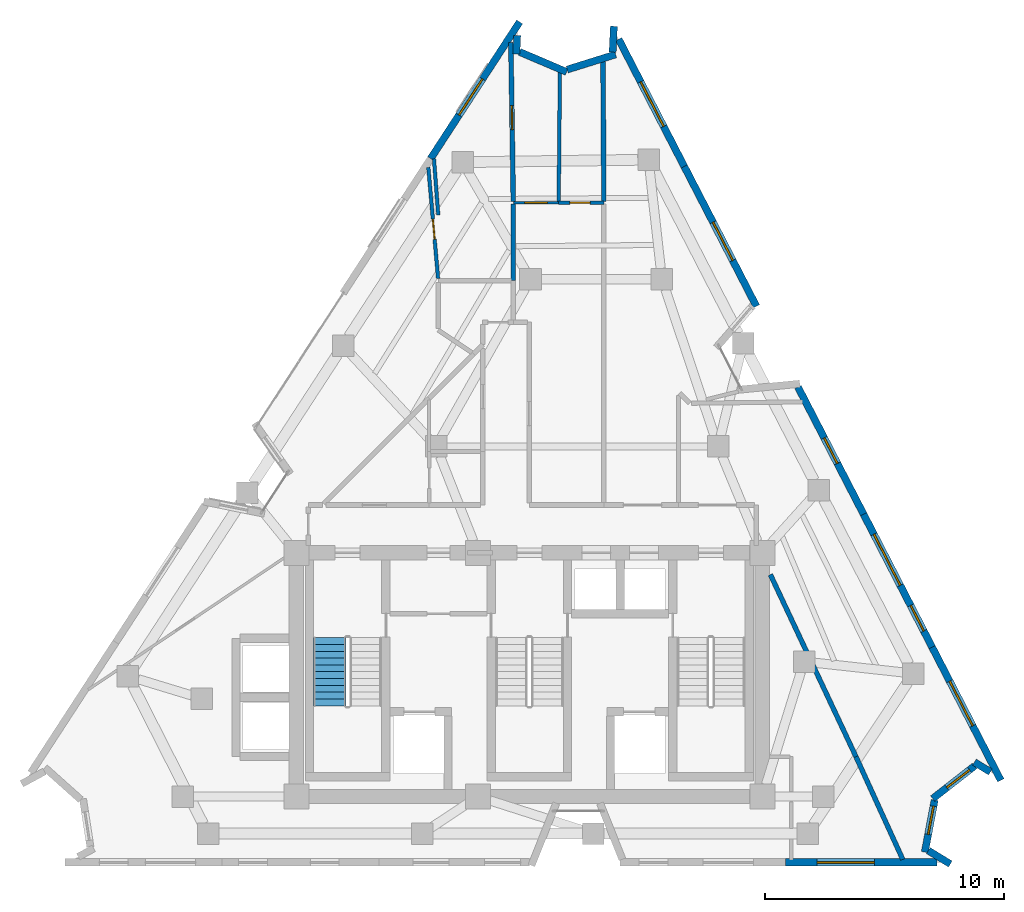
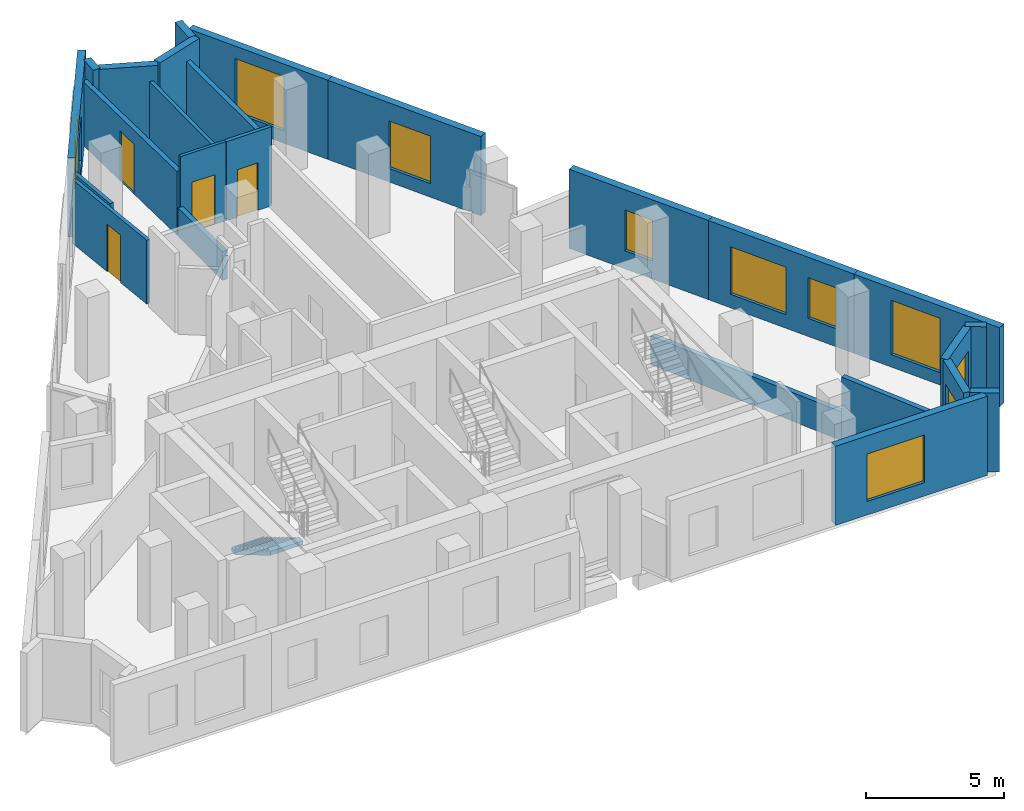
# One storey, part 7 of 9: 25 walls, 10 windows, 4 doors, 1 stair flight, 14 openings, 1 element without a shape of its own.
"""IFC4 building model written with IfcOpenShell, lengths in metres."""

from ifc_helpers import new_model, si_unit, direction, frame, frame_2d, origin, place, context, subcontext, project, spatial, polyline, rectangle, outline, extrude, material, layer, layer_set, type_object, element, fill, aggregate, save


model = new_model("IFC4")

# Units and contexts
model_context = context("Model", 3, precision=1e-05, world=origin(), true_north=direction((0.0, 1.0)))
body_context = subcontext(model_context, "Body", "Model", "MODEL_VIEW")
ifc_project = project(units=[si_unit("LENGTHUNIT", "METRE"), si_unit("AREAUNIT", "SQUARE_METRE"), si_unit("VOLUMEUNIT", "CUBIC_METRE"), si_unit("PLANEANGLEUNIT", "RADIAN"), si_unit("MASSUNIT", "GRAM", prefix="KILO")], contexts=[model_context])

# Site, building, storey
site_placement = place(None, origin())
site = spatial("IfcSite", under=ifc_project, at=site_placement, CompositionType="ELEMENT")
building_placement = place(site_placement, origin())
building = spatial("IfcBuilding", under=site, at=building_placement, Name="Almagre Mirador Tower", CompositionType="ELEMENT")
storey_placement = place(building_placement, frame((0.0, 0.0, 225.75)))
storey = spatial("IfcBuildingStorey", under=building, at=storey_placement, Name="L58", CompositionType="ELEMENT", Elevation=225.75)

# Wall, opening, window
ifc_material_1 = material(Name="Precast concrete C50/60", Category="concrete")
ifc_layer_1 = layer(ifc_material_1, 0.300048828125)
ifc_layer_set_1 = layer_set([ifc_layer_1], Name="Precast concrete C50/60")
wall_type_1 = type_object("IfcWallType", Name="WAL-EXT-300", PredefinedType="SOLIDWALL", material=ifc_layer_set_1)
wall_1_placement = place(storey_placement, frame((33.170654296875, 31.24560546875, 0.0), z_axis=(0.0, 0.0, 1.0), x_axis=(0.545586708321, 0.83805437992, 0.0)))
wall_1 = element("IfcWall", 1, at=wall_1_placement, inside=storey, type_object=wall_type_1, Name="L58 expressed almagre precast frame wall 04", PredefinedType="SOLIDWALL", context=body_context, shape_type="SweptSolid", body=[
    extrude(rectangle(XDim=6.824951171875, YDim=0.300048828125, at=frame_2d((3.41259765625, 0.0))), origin(), (0.0, 0.0, 1.0), 3.5),
])
opening_1_placement = place(wall_1_placement, frame((2.177978515625, 0.0, 0.60009765625)))
opening_1 = element("IfcOpeningElement", 2, at=opening_1_placement, cuts=wall_1, Name="Opening WN-01", PredefinedType="OPENING", context=body_context, shape_type="SweptSolid", body=[
    extrude(rectangle(XDim=1.800048828125, YDim=2.10009765625, at=frame_2d((0.89990234375, 1.050048828125))), frame((0.0, 0.159902, 0.0), z_axis=(0.0, -1.0, 0.0), x_axis=(1.0, 0.0, 0.0)), (0.0, 0.0, 1.0), 0.320049),
])
ifc_material_2 = material(Name="Dark solar-control laminated hurricane glass", Category="glass")
window_type_1 = type_object("IfcWindowType", Name="WIN-1800X2100", PartitioningType="DOUBLE_PANEL_VERTICAL", PredefinedType="WINDOW", material=ifc_material_2)
window_1_placement = place(opening_1_placement, origin())
window_1 = element("IfcWindow", 3, at=window_1_placement, inside=storey, type_object=window_type_1, Name="L58 recessed hurricane window L58-UL-KT", OverallHeight=2.10009765625, OverallWidth=1.800048828125, PartitioningType="SINGLE_PANEL", PredefinedType="WINDOW", context=body_context, shape_type="SweptSolid", body=[
    extrude(rectangle(XDim=1.800048828125, YDim=2.10009765625, at=frame_2d((0.89990234375, 1.050048828125))), frame((0.0, 0.030029296875, 0.0), z_axis=(0.0, -1.0, 0.0), x_axis=(1.0, 0.0, 0.0)), (0.0, 0.0, 1.0), 0.06005859375),
])
fill(opening_1, window_1)

# Walls
wall_2_placement = place(storey_placement, frame((36.795166015625, 36.398681640625, 0.0), z_axis=(0.0, 0.0, 1.0), x_axis=(-0.051012177361, -0.998698031319, 0.0)))
element("IfcWall", 4, at=wall_2_placement, inside=storey, type_object=wall_type_1, Name="L58 expressed almagre precast frame wall 05", PredefinedType="SOLIDWALL", context=body_context, shape_type="SweptSolid", body=[
    extrude(rectangle(XDim=0.7705078125, YDim=0.300048828125, at=frame_2d((0.38525390625, 0.0))), origin(), (0.0, 0.0, 1.0), 3.5),
])
wall_3_placement = place(storey_placement, frame((36.88720703125, 35.7158203125, 0.0), z_axis=(0.0, 0.0, 1.0), x_axis=(0.919567916171, -0.392931097711, 0.0)))
element("IfcWall", 5, at=wall_3_placement, inside=storey, type_object=wall_type_1, Name="L58 expressed almagre precast frame wall 06", PredefinedType="SOLIDWALL", context=body_context, shape_type="SweptSolid", body=[
    extrude(rectangle(XDim=2.147216796875, YDim=0.300048828125, at=frame_2d((1.07373046875, 0.0))), origin(), (0.0, 0.0, 1.0), 3.5),
])
wall_4_placement = place(storey_placement, frame((38.8857421875, 34.974609375, 0.0), z_axis=(0.0, 0.0, 1.0), x_axis=(0.954524975295, 0.298130963736, 0.0)))
element("IfcWall", 6, at=wall_4_placement, inside=storey, type_object=wall_type_1, Name="L58 expressed almagre precast frame wall 07", PredefinedType="SOLIDWALL", context=body_context, shape_type="SweptSolid", body=[
    extrude(rectangle(XDim=2.12353515625, YDim=0.300048828125, at=frame_2d((1.061767578125, 0.0))), origin(), (0.0, 0.0, 1.0), 3.5),
])
wall_5_placement = place(storey_placement, frame((40.78564453125, 35.700927734375, 0.0), z_axis=(0.0, 0.0, 1.0), x_axis=(0.05016199642, 0.998741094636, 0.0)))
element("IfcWall", 7, at=wall_5_placement, inside=storey, type_object=wall_type_1, Name="L58 expressed almagre precast frame wall 08", PredefinedType="SOLIDWALL", context=body_context, shape_type="SweptSolid", body=[
    extrude(rectangle(XDim=1.08544921875, YDim=0.300048828125, at=frame_2d((0.542724609375, 0.0))), origin(), (0.0, 0.0, 1.0), 3.5),
])

# Wall, opening, window
wall_6_placement = place(storey_placement, frame((41.039306640625, 36.2451171875, 0.0), z_axis=(0.0, 0.0, 1.0), x_axis=(0.458292150172, -0.888801611773, 0.0)))
wall_6 = element("IfcWall", 8, at=wall_6_placement, inside=storey, type_object=wall_type_1, Name="L58 expressed almagre precast frame wall 09", PredefinedType="SOLIDWALL", context=body_context, shape_type="SweptSolid", body=[
    extrude(rectangle(XDim=5.9931640625, YDim=0.300048828125, at=frame_2d((2.99658203125, 0.0))), origin(), (0.0, 0.0, 1.0), 3.5),
])
opening_2_placement = place(wall_6_placement, frame((2.010009765625, 0.0, 0.550048828125)))
opening_2 = element("IfcOpeningElement", 9, at=opening_2_placement, cuts=wall_6, Name="Opening WN-05", PredefinedType="OPENING", context=body_context, shape_type="SweptSolid", body=[
    extrude(rectangle(XDim=2.10009765625, YDim=2.39990234375, at=frame_2d((1.050048828125, 1.199951171875))), frame((0.0, 0.159902, 0.0), z_axis=(0.0, -1.0, 0.0), x_axis=(1.0, 0.0, 0.0)), (0.0, 0.0, 1.0), 0.320049),
])
ifc_material_3 = material(Name="Dark solar-control laminated hurricane glass", Category="glass")
window_type_2 = type_object("IfcWindowType", Name="WIN-2100X2400", PartitioningType="DOUBLE_PANEL_VERTICAL", PredefinedType="WINDOW", material=ifc_material_3)
window_2_placement = place(opening_2_placement, origin())
window_2 = element("IfcWindow", 10, at=window_2_placement, inside=storey, type_object=window_type_2, Name="L58 recessed hurricane window L58-RST-J", OverallHeight=2.39990234375, OverallWidth=2.10009765625, PartitioningType="SINGLE_PANEL", PredefinedType="WINDOW", context=body_context, shape_type="SweptSolid", body=[
    extrude(rectangle(XDim=2.10009765625, YDim=2.39990234375, at=frame_2d((1.050048828125, 1.199951171875))), frame((0.0, 0.030029296875, 0.0), z_axis=(0.0, -1.0, 0.0), x_axis=(1.0, 0.0, 0.0)), (0.0, 0.0, 1.0), 0.06005859375),
])
fill(opening_2, window_2)

wall_7_placement = place(storey_placement, frame((43.785888671875, 30.91845703125, 0.0), z_axis=(0.0, 0.0, 1.0), x_axis=(0.458349099599, -0.888772244671, 0.0)))
wall_7 = element("IfcWall", 11, at=wall_7_placement, inside=storey, type_object=wall_type_1, Name="L58 expressed almagre precast frame wall 10", PredefinedType="SOLIDWALL", context=body_context, shape_type="SweptSolid", body=[
    extrude(rectangle(XDim=6.5830078125, YDim=0.300048828125, at=frame_2d((3.29150390625, 0.0))), origin(), (0.0, 0.0, 1.0), 3.5),
])
opening_3_placement = place(wall_7_placement, frame((2.625, 0.0, 0.60009765625)))
opening_3 = element("IfcOpeningElement", 12, at=opening_3_placement, cuts=wall_7, Name="Opening WN-01", PredefinedType="OPENING", context=body_context, shape_type="SweptSolid", body=[
    extrude(rectangle(XDim=1.800048828125, YDim=2.10009765625, at=frame_2d((0.89990234375, 1.050048828125))), frame((0.0, 0.159902, 0.0), z_axis=(0.0, -1.0, 0.0), x_axis=(1.0, 0.0, 0.0)), (0.0, 0.0, 1.0), 0.320049),
])
window_3_placement = place(opening_3_placement, origin())
window_3 = element("IfcWindow", 13, at=window_3_placement, inside=storey, type_object=window_type_1, Name="L58 recessed hurricane window L58-UK-ST", OverallHeight=2.10009765625, OverallWidth=1.800048828125, PartitioningType="SINGLE_PANEL", PredefinedType="WINDOW", context=body_context, shape_type="SweptSolid", body=[
    extrude(rectangle(XDim=1.800048828125, YDim=2.10009765625, at=frame_2d((0.89990234375, 1.050048828125))), frame((0.0, 0.030029296875, 0.0), z_axis=(0.0, -1.0, 0.0), x_axis=(1.0, 0.0, 0.0)), (0.0, 0.0, 1.0), 0.06005859375),
])
fill(opening_3, window_3)

wall_8_placement = place(storey_placement, frame((48.544189453125, 21.689453125, 0.0), z_axis=(0.0, 0.0, 1.0), x_axis=(0.458305242752, -0.888794860733, 0.0)))
wall_8 = element("IfcWall", 14, at=wall_8_placement, inside=storey, type_object=wall_type_1, Name="L58 expressed almagre precast frame wall 13", PredefinedType="SOLIDWALL", context=body_context, shape_type="SweptSolid", body=[
    extrude(rectangle(XDim=5.986083984375, YDim=0.300048828125, at=frame_2d((2.9931640625, 0.0))), origin(), (0.0, 0.0, 1.0), 3.5),
])
opening_4_placement = place(wall_8_placement, frame((2.39501953125, 0.0, 0.800048828125)))
opening_4 = element("IfcOpeningElement", 15, at=opening_4_placement, cuts=wall_8, Name="Opening WN-04", PredefinedType="OPENING", context=body_context, shape_type="SweptSolid", body=[
    extrude(rectangle(XDim=1.199951171875, YDim=1.800048828125, at=frame_2d((0.60009765625, 0.89990234375))), frame((0.0, 0.159902, 0.0), z_axis=(0.0, -1.0, 0.0), x_axis=(1.0, 0.0, 0.0)), (0.0, 0.0, 1.0), 0.320049),
])
ifc_material_4 = material(Name="Dark solar-control laminated hurricane glass", Category="glass")
window_type_3 = type_object("IfcWindowType", Name="WIN-1200X1800", PartitioningType="SINGLE_PANEL", PredefinedType="WINDOW", material=ifc_material_4)
window_4_placement = place(opening_4_placement, origin())
window_4 = element("IfcWindow", 16, at=window_4_placement, inside=storey, type_object=window_type_3, Name="L58 recessed hurricane window L58-UK-KT", OverallHeight=1.800048828125, OverallWidth=1.199951171875, PartitioningType="SINGLE_PANEL", PredefinedType="WINDOW", context=body_context, shape_type="SweptSolid", body=[
    extrude(rectangle(XDim=1.199951171875, YDim=1.800048828125, at=frame_2d((0.60009765625, 0.89990234375))), frame((0.0, 0.030029296875, 0.0), z_axis=(0.0, -1.0, 0.0), x_axis=(1.0, 0.0, 0.0)), (0.0, 0.0, 1.0), 0.06005859375),
])
fill(opening_4, window_4)

# Wall, openings, windows
wall_9_placement = place(storey_placement, frame((51.28759765625, 16.369140625, 0.0), z_axis=(0.0, 0.0, 1.0), x_axis=(0.458306446078, -0.88879424024, 0.0)))
wall_9 = element("IfcWall", 17, at=wall_9_placement, inside=storey, type_object=wall_type_1, Name="L58 expressed almagre precast frame wall 14", PredefinedType="SOLIDWALL", context=body_context, shape_type="SweptSolid", body=[
    extrude(rectangle(XDim=6.26611328125, YDim=0.300048828125, at=frame_2d((3.133056640625, 0.0))), origin(), (0.0, 0.0, 1.0), 3.5),
])
opening_5_placement = place(wall_9_placement, frame((4.300048828125, 0.0, 0.800048828125)))
opening_5 = element("IfcOpeningElement", 18, at=opening_5_placement, cuts=wall_9, Name="Opening WN-04", PredefinedType="OPENING", context=body_context, shape_type="SweptSolid", body=[
    extrude(rectangle(XDim=1.199951171875, YDim=1.800048828125, at=frame_2d((0.60009765625, 0.89990234375))), frame((0.0, 0.159902, 0.0), z_axis=(0.0, -1.0, 0.0), x_axis=(1.0, 0.0, 0.0)), (0.0, 0.0, 1.0), 0.320049),
])
opening_6_placement = place(wall_9_placement, frame((0.949951171875, 0.0, 0.60009765625)))
opening_6 = element("IfcOpeningElement", 19, at=opening_6_placement, cuts=wall_9, Name="Opening WN-02", PredefinedType="OPENING", context=body_context, shape_type="SweptSolid", body=[
    extrude(rectangle(XDim=2.39990234375, YDim=2.10009765625, at=frame_2d((1.199951171875, 1.050048828125))), frame((0.0, 0.159902, 0.0), z_axis=(0.0, -1.0, 0.0), x_axis=(1.0, 0.0, 0.0)), (0.0, 0.0, 1.0), 0.320049),
])
window_5_placement = place(opening_5_placement, origin())
window_5 = element("IfcWindow", 20, at=window_5_placement, inside=storey, type_object=window_type_3, Name="L58 recessed hurricane window L58-RST-E", OverallHeight=1.800048828125, OverallWidth=1.199951171875, PartitioningType="SINGLE_PANEL", PredefinedType="WINDOW", context=body_context, shape_type="SweptSolid", body=[
    extrude(rectangle(XDim=1.199951171875, YDim=1.800048828125, at=frame_2d((0.60009765625, 0.89990234375))), frame((0.0, 0.030029296875, 0.0), z_axis=(0.0, -1.0, 0.0), x_axis=(1.0, 0.0, 0.0)), (0.0, 0.0, 1.0), 0.06005859375),
])
fill(opening_5, window_5)
ifc_material_5 = material(Name="Dark solar-control laminated hurricane glass", Category="glass")
window_type_4 = type_object("IfcWindowType", Name="WIN-2400X2100", PartitioningType="TRIPLE_PANEL_VERTICAL", PredefinedType="WINDOW", material=ifc_material_5)
window_6_placement = place(opening_6_placement, origin())
window_6 = element("IfcWindow", 21, at=window_6_placement, inside=storey, type_object=window_type_4, Name="L58 recessed hurricane window L58-UK-KT", OverallHeight=2.10009765625, OverallWidth=2.39990234375, PartitioningType="SINGLE_PANEL", PredefinedType="WINDOW", context=body_context, shape_type="SweptSolid", body=[
    extrude(rectangle(XDim=2.39990234375, YDim=2.10009765625, at=frame_2d((1.199951171875, 1.050048828125))), frame((0.0, 0.030029296875, 0.0), z_axis=(0.0, -1.0, 0.0), x_axis=(1.0, 0.0, 0.0)), (0.0, 0.0, 1.0), 0.06005859375),
])
fill(opening_6, window_6)

# Wall, opening, window
wall_10_placement = place(storey_placement, frame((54.159423828125, 10.7998046875, 0.0), z_axis=(0.0, 0.0, 1.0), x_axis=(0.458322317218, -0.888786056113, 0.0)))
wall_10 = element("IfcWall", 22, at=wall_10_placement, inside=storey, type_object=wall_type_1, Name="L58 expressed almagre precast frame wall 15", PredefinedType="SOLIDWALL", context=body_context, shape_type="SweptSolid", body=[
    extrude(rectangle(XDim=6.265869140625, YDim=0.300048828125, at=frame_2d((3.1328125, 0.0))), origin(), (0.0, 0.0, 1.0), 3.5),
])
opening_7_placement = place(wall_10_placement, frame((1.60009765625, 0.0, 0.550048828125)))
opening_7 = element("IfcOpeningElement", 23, at=opening_7_placement, cuts=wall_10, Name="Opening WN-05", PredefinedType="OPENING", context=body_context, shape_type="SweptSolid", body=[
    extrude(rectangle(XDim=2.10009765625, YDim=2.39990234375, at=frame_2d((1.050048828125, 1.199951171875))), frame((0.0, 0.159902, 0.0), z_axis=(0.0, -1.0, 0.0), x_axis=(1.0, 0.0, 0.0)), (0.0, 0.0, 1.0), 0.320049),
])
window_7_placement = place(opening_7_placement, origin())
window_7 = element("IfcWindow", 24, at=window_7_placement, inside=storey, type_object=window_type_2, Name="L58 recessed hurricane window L58-RST-E", OverallHeight=2.39990234375, OverallWidth=2.10009765625, PartitioningType="SINGLE_PANEL", PredefinedType="WINDOW", context=body_context, shape_type="SweptSolid", body=[
    extrude(rectangle(XDim=2.10009765625, YDim=2.39990234375, at=frame_2d((1.050048828125, 1.199951171875))), frame((0.0, 0.030029296875, 0.0), z_axis=(0.0, -1.0, 0.0), x_axis=(1.0, 0.0, 0.0)), (0.0, 0.0, 1.0), 0.06005859375),
])
fill(opening_7, window_7)

# Wall
wall_11_placement = place(storey_placement, frame((56.595458984375, 5.581298828125, 0.0), z_axis=(0.0, 0.0, 1.0), x_axis=(-0.853681479387, 0.520795479772, 0.0)))
element("IfcWall", 25, at=wall_11_placement, inside=storey, type_object=wall_type_1, Name="L58 expressed almagre precast frame wall 16", PredefinedType="SOLIDWALL", context=body_context, shape_type="SweptSolid", body=[
    extrude(rectangle(XDim=0.78466796875, YDim=0.300048828125, at=frame_2d((0.392333984375, 0.0))), origin(), (0.0, 0.0, 1.0), 3.5),
])

# Wall, opening, window
wall_12_placement = place(storey_placement, frame((55.938720703125, 5.833984375, 0.0), z_axis=(0.0, 0.0, 1.0), x_axis=(-0.788331324268, -0.615250943256, 0.0)))
wall_12 = element("IfcWall", 26, at=wall_12_placement, inside=storey, type_object=wall_type_1, Name="L58 expressed almagre precast frame wall 17", PredefinedType="SOLIDWALL", context=body_context, shape_type="SweptSolid", body=[
    extrude(rectangle(XDim=2.22998046875, YDim=0.300048828125, at=frame_2d((1.114990234375, 0.0))), origin(), (0.0, 0.0, 1.0), 3.5),
])
opening_8_placement = place(wall_12_placement, frame((0.27490234375, 0.0, 0.800048828125)))
opening_8 = element("IfcOpeningElement", 27, at=opening_8_placement, cuts=wall_12, Name="Opening WN-04", PredefinedType="OPENING", context=body_context, shape_type="SweptSolid", body=[
    extrude(rectangle(XDim=1.199951171875, YDim=1.800048828125, at=frame_2d((0.60009765625, 0.89990234375))), frame((0.0, 0.159902, 0.0), z_axis=(0.0, -1.0, 0.0), x_axis=(1.0, 0.0, 0.0)), (0.0, 0.0, 1.0), 0.320049),
])
window_8_placement = place(opening_8_placement, origin())
window_8 = element("IfcWindow", 28, at=window_8_placement, inside=storey, type_object=window_type_3, Name="L58 recessed hurricane window L58-RST-E", OverallHeight=1.800048828125, OverallWidth=1.199951171875, PartitioningType="SINGLE_PANEL", PredefinedType="WINDOW", context=body_context, shape_type="SweptSolid", body=[
    extrude(rectangle(XDim=1.199951171875, YDim=1.800048828125, at=frame_2d((0.60009765625, 0.89990234375))), frame((0.0, 0.030029296875, 0.0), z_axis=(0.0, -1.0, 0.0), x_axis=(1.0, 0.0, 0.0)), (0.0, 0.0, 1.0), 0.06005859375),
])
fill(opening_8, window_8)

wall_13_placement = place(storey_placement, frame((54.26318359375, 4.400634765625, 0.0), z_axis=(0.0, 0.0, 1.0), x_axis=(-0.185632792315, -0.982619186876, 0.0)))
wall_13 = element("IfcWall", 29, at=wall_13_placement, inside=storey, type_object=wall_type_1, Name="L58 expressed almagre precast frame wall 18", PredefinedType="SOLIDWALL", context=body_context, shape_type="SweptSolid", body=[
    extrude(rectangle(XDim=2.21484375, YDim=0.300048828125, at=frame_2d((1.107421875, 0.0))), origin(), (0.0, 0.0, 1.0), 3.5),
])
opening_9_placement = place(wall_13_placement, frame((0.260009765625, 0.0, 0.800048828125)))
opening_9 = element("IfcOpeningElement", 30, at=opening_9_placement, cuts=wall_13, Name="Opening WN-04", PredefinedType="OPENING", context=body_context, shape_type="SweptSolid", body=[
    extrude(rectangle(XDim=1.199951171875, YDim=1.800048828125, at=frame_2d((0.60009765625, 0.89990234375))), frame((0.0, 0.159902, 0.0), z_axis=(0.0, -1.0, 0.0), x_axis=(1.0, 0.0, 0.0)), (0.0, 0.0, 1.0), 0.320049),
])
window_9_placement = place(opening_9_placement, origin())
window_9 = element("IfcWindow", 31, at=window_9_placement, inside=storey, type_object=window_type_3, Name="L58 recessed hurricane window L58-RST-E", OverallHeight=1.800048828125, OverallWidth=1.199951171875, PartitioningType="SINGLE_PANEL", PredefinedType="WINDOW", context=body_context, shape_type="SweptSolid", body=[
    extrude(rectangle(XDim=1.199951171875, YDim=1.800048828125, at=frame_2d((0.60009765625, 0.89990234375))), frame((0.0, 0.030029296875, 0.0), z_axis=(0.0, -1.0, 0.0), x_axis=(1.0, 0.0, 0.0)), (0.0, 0.0, 1.0), 0.06005859375),
])
fill(opening_9, window_9)

# Wall
wall_14_placement = place(storey_placement, frame((53.99755859375, 2.2890625, 0.0), z_axis=(0.0, 0.0, 1.0), x_axis=(0.853840299064, -0.520535055203, 0.0)))
element("IfcWall", 32, at=wall_14_placement, inside=storey, type_object=wall_type_1, Name="L58 expressed almagre precast frame wall 19", PredefinedType="SOLIDWALL", context=body_context, shape_type="SweptSolid", body=[
    extrude(rectangle(XDim=1.07958984375, YDim=0.300048828125, at=frame_2d((0.539794921875, 0.0))), origin(), (0.0, 0.0, 1.0), 3.5),
])

# Wall, opening, window
wall_15_placement = place(storey_placement, frame((54.360107421875, 1.800048828125, 0.0), z_axis=(0.0, 0.0, 1.0), x_axis=(-1.0, 0.0, 0.0)))
wall_15 = element("IfcWall", 33, at=wall_15_placement, inside=storey, type_object=wall_type_1, Name="L58 expressed almagre precast frame wall 20", PredefinedType="SOLIDWALL", context=body_context, shape_type="SweptSolid", body=[
    extrude(rectangle(XDim=6.338134765625, YDim=0.300048828125, at=frame_2d((3.1689453125, 0.0))), origin(), (0.0, 0.0, 1.0), 3.5),
])
opening_10_placement = place(wall_15_placement, frame((2.6201171875, 0.0, 0.60009765625)))
opening_10 = element("IfcOpeningElement", 34, at=opening_10_placement, cuts=wall_15, Name="Opening WN-02", PredefinedType="OPENING", context=body_context, shape_type="SweptSolid", body=[
    extrude(rectangle(XDim=2.39990234375, YDim=2.10009765625, at=frame_2d((1.199951171875, 1.050048828125))), frame((0.0, 0.159902, 0.0), z_axis=(0.0, -1.0, 0.0), x_axis=(1.0, 0.0, 0.0)), (0.0, 0.0, 1.0), 0.320049),
])
window_10_placement = place(opening_10_placement, origin())
window_10 = element("IfcWindow", 35, at=window_10_placement, inside=storey, type_object=window_type_4, Name="L58 recessed hurricane window L58-UC-ST", OverallHeight=2.10009765625, OverallWidth=2.39990234375, PartitioningType="SINGLE_PANEL", PredefinedType="WINDOW", context=body_context, shape_type="SweptSolid", body=[
    extrude(rectangle(XDim=2.39990234375, YDim=2.10009765625, at=frame_2d((1.199951171875, 1.050048828125))), frame((0.0, 0.030029296875, 0.0), z_axis=(0.0, -1.0, 0.0), x_axis=(1.0, 0.0, 0.0)), (0.0, 0.0, 1.0), 0.06005859375),
])
fill(opening_10, window_10)

# Wall, opening, door
ifc_material_6 = material(Name="Gypsum acoustic stud partition", Category="other")
ifc_layer_2 = layer(ifc_material_6, 0.125)
ifc_layer_set_2 = layer_set([ifc_layer_2], Name="Gypsum acoustic stud partition")
wall_type_2 = type_object("IfcWallType", Name="WAL-PRT-125-UTL", PredefinedType="PARTITIONING", material=ifc_layer_set_2)
wall_16_placement = place(storey_placement, frame((38.530029296875, 29.39990234375, 0.0), z_axis=(0.0, 0.0, 1.0), x_axis=(-1.0, 0.0, 0.0)))
wall_16 = element("IfcWall", 36, at=wall_16_placement, inside=storey, type_object=wall_type_2, Name="L58 interior partition 045", PredefinedType="PARTITIONING", context=body_context, shape_type="SweptSolid", body=[
    extrude(rectangle(XDim=1.900146484375, YDim=0.125, at=frame_2d((0.9501953125, 0.0))), origin(), (0.0, 0.0, 1.0), 3.5),
])
opening_11_placement = place(wall_16_placement, frame((0.47509765625, 0.0, 0.0)))
opening_11 = element("IfcOpeningElement", 37, at=opening_11_placement, cuts=wall_16, Name="Opening UD-01", PredefinedType="OPENING", context=body_context, shape_type="SweptSolid", body=[
    extrude(rectangle(XDim=0.949951171875, YDim=2.199951171875, at=frame_2d((0.47509765625, 1.10009765625))), frame((0.0, 0.0725, 0.0), z_axis=(0.0, -1.0, 0.0), x_axis=(1.0, 0.0, 0.0)), (0.0, 0.0, 1.0), 0.145),
])
ifc_material_7 = material(Name="Solid American walnut timber", Category="wood")
door_type_1 = type_object("IfcDoorType", Name="DOR-UNR-950X2200", OperationType="NOTDEFINED", PredefinedType="DOOR", material=ifc_material_7)
door_1_placement = place(opening_11_placement, origin())
door_1 = element("IfcDoor", 38, at=door_1_placement, inside=storey, type_object=door_type_1, Name="DR-1791 L58 interior door L58-UH-ST to L58-UH-KT", OperationType="SINGLE_SWING_LEFT", OverallHeight=2.199951171875, OverallWidth=0.949951171875, PredefinedType="DOOR", context=body_context, shape_type="SweptSolid", body=[
    extrude(rectangle(XDim=0.949951171875, YDim=2.199951171875, at=frame_2d((0.47509765625, 1.10009765625))), frame((0.0, 0.02490234375, 0.0), z_axis=(0.0, -1.0, 0.0), x_axis=(1.0, 0.0, 0.0)), (0.0, 0.0, 1.0), 0.050048828125),
])
fill(opening_11, door_1)

ifc_material_8 = material(Name="Gypsum acoustic stud partition", Category="other")
ifc_layer_3 = layer(ifc_material_8, 0.14990234375)
ifc_layer_set_3 = layer_set([ifc_layer_3], Name="Gypsum acoustic stud partition")
wall_type_3 = type_object("IfcWallType", Name="WAL-PRT-150-STD", PredefinedType="PARTITIONING", material=ifc_layer_set_3)
wall_17_placement = place(storey_placement, frame((40.419921875, 29.39990234375, 0.0), z_axis=(0.0, 0.0, 1.0), x_axis=(-1.0, 0.0, 0.0)))
wall_17 = element("IfcWall", 39, at=wall_17_placement, inside=storey, type_object=wall_type_3, Name="L58 interior partition 046", PredefinedType="PARTITIONING", context=body_context, shape_type="SweptSolid", body=[
    extrude(rectangle(XDim=1.889892578125, YDim=0.14990234375, at=frame_2d((0.94482421875, 0.0))), origin(), (0.0, 0.0, 1.0), 3.5),
])
opening_12_placement = place(wall_17_placement, frame((0.57421875, 0.0, 0.0)))
opening_12 = element("IfcOpeningElement", 40, at=opening_12_placement, cuts=wall_17, Name="Opening UD-04", PredefinedType="OPENING", context=body_context, shape_type="SweptSolid", body=[
    extrude(rectangle(XDim=0.85009765625, YDim=2.10009765625, at=frame_2d((0.425048828125, 1.050048828125))), frame((0.0, 0.084951, 0.0), z_axis=(0.0, -1.0, 0.0), x_axis=(1.0, 0.0, 0.0)), (0.0, 0.0, 1.0), 0.169902),
])
ifc_material_9 = material(Name="Moisture-resistant oak timber", Category="wood")
door_type_2 = type_object("IfcDoorType", Name="DOR-UNR-850X2100", OperationType="NOTDEFINED", PredefinedType="DOOR", material=ifc_material_9)
door_2_placement = place(opening_12_placement, origin())
door_2 = element("IfcDoor", 41, at=door_2_placement, inside=storey, type_object=door_type_2, Name="DR-1792 L58 interior door L58-UH-ST to L58-UH-BT", OperationType="SINGLE_SWING_RIGHT", OverallHeight=2.10009765625, OverallWidth=0.85009765625, PredefinedType="DOOR", context=body_context, shape_type="SweptSolid", body=[
    extrude(rectangle(XDim=0.85009765625, YDim=2.10009765625, at=frame_2d((0.425048828125, 1.050048828125))), frame((0.0, 0.02490234375, 0.0), z_axis=(0.0, -1.0, 0.0), x_axis=(1.0, 0.0, 0.0)), (0.0, 0.0, 1.0), 0.050048828125),
])
fill(opening_12, door_2)

# Wall
wall_18_placement = place(storey_placement, frame((38.5302734375, 29.447509765625, 0.0), z_axis=(0.0, 0.0, 1.0), x_axis=(0.009177640188, 0.999957884573, 0.0)))
element("IfcWall", 42, at=wall_18_placement, inside=storey, type_object=wall_type_3, Name="L58 interior partition 050", PredefinedType="PARTITIONING", context=body_context, shape_type="SweptSolid", body=[
    extrude(rectangle(XDim=5.4267578125, YDim=0.14990234375, at=frame_2d((2.71337890625, 0.0))), origin(), (0.0, 0.0, 1.0), 2.820068359375),
])

# Wall, opening, door
wall_19_placement = place(storey_placement, frame((33.073974609375, 30.882080078125, 0.0), z_axis=(0.0, 0.0, 1.0), x_axis=(0.087569203822, -0.996158438473, 0.0)))
wall_19 = element("IfcWall", 43, at=wall_19_placement, inside=storey, type_object=wall_type_3, Name="L58 interior partition 059", PredefinedType="PARTITIONING", context=body_context, shape_type="SweptSolid", body=[
    extrude(rectangle(XDim=4.675537109375, YDim=0.14990234375, at=frame_2d((2.337890625, 0.0))), origin(), (0.0, 0.0, 1.0), 2.820068359375),
])
opening_13_placement = place(wall_19_placement, frame((2.1748046875, 0.0, 0.0)))
opening_13 = element("IfcOpeningElement", 44, at=opening_13_placement, cuts=wall_19, Name="Opening UD-04", PredefinedType="OPENING", context=body_context, shape_type="SweptSolid", body=[
    extrude(rectangle(XDim=0.85009765625, YDim=2.10009765625, at=frame_2d((0.425048828125, 1.050048828125))), frame((0.0, 0.084951, 0.0), z_axis=(0.0, -1.0, 0.0), x_axis=(1.0, 0.0, 0.0)), (0.0, 0.0, 1.0), 0.169902),
])
door_3_placement = place(opening_13_placement, origin())
door_3 = element("IfcDoor", 45, at=door_3_placement, inside=storey, type_object=door_type_2, Name="DR-1793 L58 interior door L58-UL-KT to L58-UL-BT", OperationType="SINGLE_SWING_LEFT", OverallHeight=2.10009765625, OverallWidth=0.85009765625, PredefinedType="DOOR", context=body_context, shape_type="SweptSolid", body=[
    extrude(rectangle(XDim=0.85009765625, YDim=2.10009765625, at=frame_2d((0.425048828125, 1.050048828125))), frame((0.0, 0.02490234375, 0.0), z_axis=(0.0, -1.0, 0.0), x_axis=(1.0, 0.0, 0.0)), (0.0, 0.0, 1.0), 0.050048828125),
])
fill(opening_13, door_3)

# Walls
wall_20_placement = place(storey_placement, frame((33.489990234375, 28.887939453125, 0.0), z_axis=(0.0, 0.0, 1.0), x_axis=(-0.076656944158, 0.997057527384, 0.0)))
element("IfcWall", 46, at=wall_20_placement, inside=storey, type_object=wall_type_3, Name="L58 interior partition 061", PredefinedType="PARTITIONING", context=body_context, shape_type="SweptSolid", body=[
    extrude(rectangle(XDim=2.35986328125, YDim=0.14990234375, at=frame_2d((1.179931640625, 0.0))), origin(), (0.0, 0.0, 1.0), 2.820068359375),
])
ifc_material_10 = material(Name="Gypsum acoustic stud partition", Category="other")
ifc_layer_4 = layer(ifc_material_10, 0.199951171875)
ifc_layer_set_4 = layer_set([ifc_layer_4], Name="Gypsum acoustic stud partition")
wall_type_4 = type_object("IfcWallType", Name="WAL-PRT-200-EI60", PredefinedType="PARTITIONING", material=ifc_layer_set_4)
wall_21_placement = place(storey_placement, frame((52.928955078125, 1.91796875, 0.0), z_axis=(0.0, 0.0, 1.0), x_axis=(-0.414421560501, 0.910085034594, 0.0)))
element("IfcWall", 47, at=wall_21_placement, inside=storey, type_object=wall_type_4, Name="L58 interior partition 029", PredefinedType="PARTITIONING", context=body_context, shape_type="SweptSolid", body=[
    extrude(rectangle(XDim=4.72705078125, YDim=0.199951171875, at=frame_2d((2.363525390625, 0.0))), origin(), (0.0, 0.0, 1.0), 2.820068359375),
])
wall_22_placement = place(storey_placement, frame((50.969970703125, 6.219970703125, 0.0), z_axis=(0.0, 0.0, 1.0), x_axis=(-0.425460425006, 0.904977031064, 0.0)))
element("IfcWall", 48, at=wall_22_placement, inside=storey, type_object=wall_type_4, Name="L58 interior partition 031", PredefinedType="PARTITIONING", context=body_context, shape_type="SweptSolid", body=[
    extrude(rectangle(XDim=8.418701171875, YDim=0.199951171875, at=frame_2d((4.20947265625, 0.0))), origin(), (0.0, 0.0, 1.0), 1.27001953125),
])
wall_23_placement = place(storey_placement, frame((36.6298828125, 29.3525390625, 0.0), z_axis=(0.0, 0.0, 1.0), x_axis=(0.0, -1.0, 0.0)))
element("IfcWall", 49, at=wall_23_placement, inside=storey, type_object=wall_type_4, Name="L58 interior partition 049", PredefinedType="PARTITIONING", context=body_context, shape_type="SweptSolid", body=[
    extrude(rectangle(XDim=3.212646484375, YDim=0.199951171875, at=frame_2d((1.6064453125, 0.0))), origin(), (0.0, 0.0, 1.0), 1.27001953125),
])

# Wall, opening, door
wall_24_placement = place(storey_placement, frame((36.527099609375, 36.114990234375, 0.0), z_axis=(0.0, 0.0, 1.0), x_axis=(0.015340560047, -0.999882326685, 0.0)))
wall_24 = element("IfcWall", 50, at=wall_24_placement, inside=storey, type_object=wall_type_4, Name="L58 interior partition 051", PredefinedType="PARTITIONING", context=body_context, shape_type="SweptSolid", body=[
    extrude(rectangle(XDim=6.668212890625, YDim=0.199951171875, at=frame_2d((3.333984375, 0.0))), origin(), (0.0, 0.0, 1.0), 2.820068359375),
])
opening_14_placement = place(wall_24_placement, frame((2.65087890625, 0.0, 0.0)))
opening_14 = element("IfcOpeningElement", 51, at=opening_14_placement, cuts=wall_24, Name="Opening ID-01", PredefinedType="OPENING", context=body_context, shape_type="SweptSolid", body=[
    extrude(rectangle(XDim=1.0, YDim=2.199951171875, at=frame_2d((0.5, 1.10009765625))), frame((0.0, 0.110098, 0.0), z_axis=(0.0, -1.0, 0.0), x_axis=(1.0, 0.0, 0.0)), (0.0, 0.0, 1.0), 0.219951),
])
ifc_material_11 = material(Name="Fire-rated walnut timber", Category="wood")
door_type_3 = type_object("IfcDoorType", Name="DOR-FD60-1000X2200", OperationType="NOTDEFINED", PredefinedType="DOOR", material=ifc_material_11)
door_4_placement = place(opening_14_placement, origin())
door_4 = element("IfcDoor", 52, at=door_4_placement, inside=storey, type_object=door_type_3, Name="DR-1794 L58 interior door L58-UH-KT to L58-UL-KT", OperationType="SINGLE_SWING_RIGHT", OverallHeight=2.199951171875, OverallWidth=1.0, PredefinedType="DOOR", context=body_context, shape_type="SweptSolid", body=[
    extrude(rectangle(XDim=1.0, YDim=2.199951171875, at=frame_2d((0.5, 1.10009765625))), frame((0.0, 0.02490234375, 0.0), z_axis=(0.0, -1.0, 0.0), x_axis=(1.0, 0.0, 0.0)), (0.0, 0.0, 1.0), 0.050048828125),
])
fill(opening_14, door_4)

# Wall
wall_25_placement = place(storey_placement, frame((40.419677734375, 29.4599609375, 0.0), z_axis=(0.0, 0.0, 1.0), x_axis=(-0.006056723586, 0.999981657881, 0.0)))
element("IfcWall", 53, at=wall_25_placement, inside=storey, type_object=wall_type_4, Name="L58 interior partition 052", PredefinedType="PARTITIONING", context=body_context, shape_type="SweptSolid", body=[
    extrude(rectangle(XDim=5.885009765625, YDim=0.199951171875, at=frame_2d((2.9423828125, 0.0))), origin(), (0.0, 0.0, 1.0), 2.820068359375),
])

# Stair, stair flight
ifc_material_12 = material(Name="Concrete C45/55", Category="concrete")
stair_type = type_object("IfcStairType", Name="STR-DL-3750", PredefinedType="HALF_TURN_STAIR", material=ifc_material_12)
stair_placement = place(storey_placement, origin())
stair = element("IfcStair", 54, at=stair_placement, inside=storey, type_object=stair_type, Name="L58 Protected exit stair ST-1", PredefinedType="HALF_TURN_STAIR")
ifc_material_13 = material(Name="Concrete C45/55", Category="concrete")
stair_flight_type = type_object("IfcStairFlightType", Name="FLT-DL-3750", PredefinedType="STRAIGHT", material=ifc_material_13)
stair_flight_placement = place(storey_placement, frame((28.949951171875, 11.199951171875, 0.0), z_axis=(0.0, 0.0, 1.0), x_axis=(0.0, -1.0, 0.0)))
stair_flight = element("IfcStairFlight", 55, at=stair_flight_placement, type_object=stair_flight_type, Name="ST-1 flight 1", NumberOfRisers=11, NumberOfTreads=10, PredefinedType="STRAIGHT", RiserHeight=0.170454545, TreadLength=0.285, context=body_context, shape_type="SweptSolid", body=[
    extrude(outline(polyline([(0.0, 0.0), (0.0, 0.17041015625), (0.284912109375, 0.17041015625), (0.284912109375, 0.3408203125), (0.570068359375, 0.3408203125), (0.570068359375, 0.511474609375), (0.85498046875, 0.511474609375), (0.85498046875, 0.681884765625), (1.139892578125, 0.681884765625), (1.139892578125, 0.852294921875), (1.425048828125, 0.852294921875), (1.425048828125, 1.022705078125), (1.7099609375, 1.022705078125), (1.7099609375, 1.193115234375), (1.9951171875, 1.193115234375), (1.9951171875, 1.363525390625), (2.280029296875, 1.363525390625), (2.280029296875, 1.5341796875), (2.56494140625, 1.5341796875), (2.56494140625, 1.70458984375), (2.85009765625, 1.70458984375), (2.85009765625, 1.875), (2.85009765625, 1.52978515625), (0.2919921875, 0.0), (0.0, 0.0)])), frame((0.0, 0.675048828125, 0.0), z_axis=(0.0, -1.0, 0.0), x_axis=(1.0, 0.0, 0.0)), (0.0, 0.0, 1.0), 1.35009765625),
])
aggregate(stair, [stair_flight])

save(model, "model.ifc")
